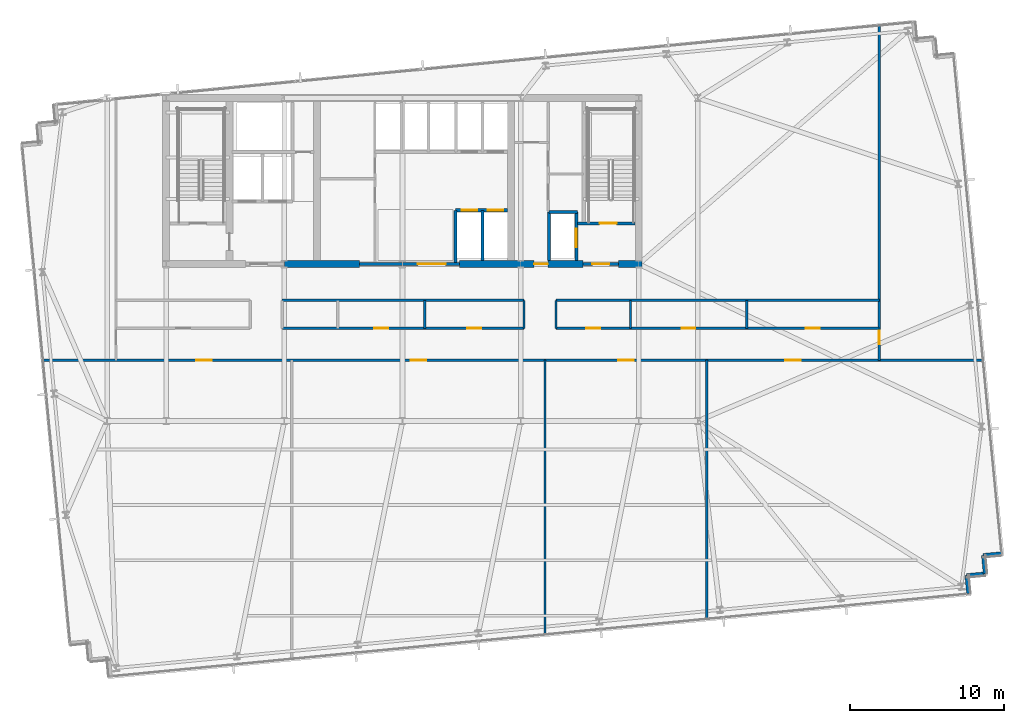
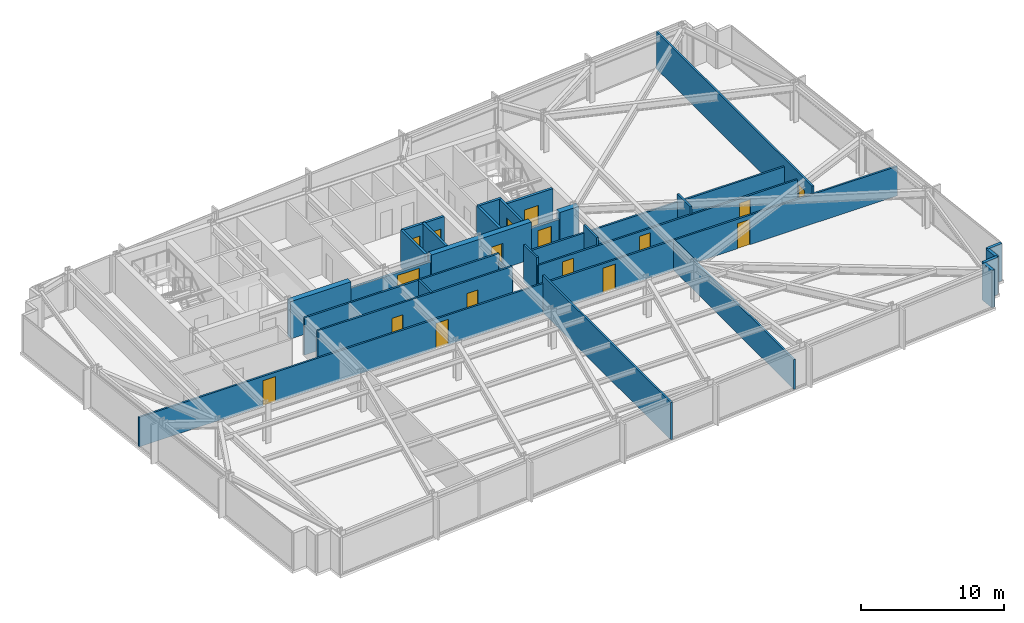
# One storey, part 25 of 32: 29 walls, 17 doors, 17 openings.
"""IFC4 building model written with IfcOpenShell, lengths in metres."""

from ifc_helpers import new_model, si_unit, direction, frame, frame_2d, origin, place, context, subcontext, project, spatial, rectangle, extrude, material, layer, layer_set, type_object, element, fill, save


model = new_model("IFC4")

# Units and contexts
model_context = context("Model", 3, precision=1e-05, world=origin(), true_north=direction((0.0, 1.0)))
body_context = subcontext(model_context, "Body", "Model", "MODEL_VIEW")
ifc_project = project(units=[si_unit("LENGTHUNIT", "METRE"), si_unit("AREAUNIT", "SQUARE_METRE"), si_unit("VOLUMEUNIT", "CUBIC_METRE"), si_unit("PLANEANGLEUNIT", "RADIAN"), si_unit("MASSUNIT", "GRAM", prefix="KILO")], contexts=[model_context])

# Site, building, storey
site_placement = place(None, origin())
site = spatial("IfcSite", under=ifc_project, at=site_placement, CompositionType="ELEMENT")
building_placement = place(site_placement, origin())
building = spatial("IfcBuilding", under=site, at=building_placement, Name="Yelkora Congress Tower", CompositionType="ELEMENT")
storey_placement = place(building_placement, frame((0.0, 0.0, 113.5)))
storey = spatial("IfcBuildingStorey", under=building, at=storey_placement, Name="L30", CompositionType="ELEMENT", Elevation=113.5)

# Wall
ifc_material_1 = material(Name="Concrete C60/75", Category="concrete")
ifc_layer_1 = layer(ifc_material_1, 0.449951171875)
ifc_layer_set_1 = layer_set([ifc_layer_1], Name="Concrete C60/75")
wall_type_1 = type_object("IfcWallType", Name="WALL-CORE-INT-450", PredefinedType="SHEAR", material=ifc_layer_set_1)
wall_1_placement = place(storey_placement, frame((30.719970703125, 35.39990234375, 0.0), z_axis=(0.0, 0.0, 1.0), x_axis=(1.0, 0.0, 0.0)))
element("IfcWall", 1, at=wall_1_placement, inside=storey, type_object=wall_type_1, Name="L30 Rear Core South-Center Shear Pier", PredefinedType="SHEAR", context=body_context, shape_type="SweptSolid", body=[
    extrude(rectangle(XDim=4.880126953125, YDim=0.449951171875, at=frame_2d((2.43994140625, 0.0))), origin(), (0.0, 0.0, 1.0), 3.179931640625),
])

# Wall, opening, door
wall_2_placement = place(storey_placement, frame((42.10009765625, 35.39990234375, 0.0), z_axis=(0.0, 0.0, 1.0), x_axis=(1.0, 0.0, 0.0)))
wall_2 = element("IfcWall", 2, at=wall_2_placement, inside=storey, type_object=wall_type_1, Name="L30 Rear Core South-East Shear Wall A", PredefinedType="SHEAR", context=body_context, shape_type="SweptSolid", body=[
    extrude(rectangle(XDim=8.0498046875, YDim=0.449951171875, at=frame_2d((4.02490234375, 0.0))), origin(), (0.0, 0.0, 1.0), 3.179931640625),
])
opening_1_placement = place(wall_2_placement, frame((4.85009765625, 0.0, 0.0)))
opening_1 = element("IfcOpeningElement", 3, at=opening_1_placement, cuts=wall_2, Name="Opening DR-090F6", PredefinedType="OPENING", context=body_context, shape_type="SweptSolid", body=[
    extrude(rectangle(XDim=0.89990234375, YDim=2.14990234375, at=frame_2d((0.449951171875, 1.074951171875))), frame((0.0, 0.23486328125, 0.0), z_axis=(0.0, -1.0, 0.0), x_axis=(1.0, 0.0, 0.0)), (0.0, 0.0, 1.0), 0.469970703125),
])
ifc_material_2 = material(Name="Painted steel riser fire door leaf", Category="steel")
door_type_1 = type_object("IfcDoorType", Name="DOOR-FD60-900", OperationType="NOTDEFINED", PredefinedType="DOOR", material=ifc_material_2)
door_1_placement = place(opening_1_placement, origin())
door_1 = element("IfcDoor", 4, at=door_1_placement, inside=storey, type_object=door_type_1, Name="L30 Core Washroom Lobby Door", OperationType="SINGLE_SWING_RIGHT", OverallHeight=2.14990234375, OverallWidth=0.89990234375, PredefinedType="DOOR", context=body_context, shape_type="SweptSolid", body=[
    extrude(rectangle(XDim=0.89990234375, YDim=2.14990234375, at=frame_2d((0.449951171875, 1.074951171875))), frame((0.0, 0.02490234375, 0.0), z_axis=(0.0, -1.0, 0.0), x_axis=(1.0, 0.0, 0.0)), (0.0, 0.0, 1.0), 0.050048828125),
])
fill(opening_1, door_1)

# Walls
wall_3_placement = place(storey_placement, frame((52.449951171875, 35.39990234375, 0.0), z_axis=(0.0, 0.0, 1.0), x_axis=(1.0, 0.0, 0.0)))
element("IfcWall", 5, at=wall_3_placement, inside=storey, type_object=wall_type_1, Name="L30 Rear Core South-East Shear Wall B", PredefinedType="SHEAR", context=body_context, shape_type="SweptSolid", body=[
    extrude(rectangle(XDim=1.53515625, YDim=0.449951171875, at=frame_2d((0.767578125, 0.0))), origin(), (0.0, 0.0, 1.0), 3.179931640625),
])
ifc_material_3 = material(Name="Concrete C40/50", Category="concrete")
ifc_layer_2 = layer(ifc_material_3, 0.239990234375)
ifc_layer_set_2 = layer_set([ifc_layer_2], Name="Concrete C40/50")
wall_type_2 = type_object("IfcWallType", Name="WALL-EXT-LIMESTONE-240", PredefinedType="SOLIDWALL", material=ifc_layer_set_2)
wall_4_placement = place(storey_placement, frame((77.34765625, 16.585693359375, 0.0), z_axis=(0.0, 0.0, 1.0), x_axis=(-0.995397091755, -0.095836473879, 0.0)))
element("IfcWall", 6, at=wall_4_placement, inside=storey, type_object=wall_type_2, Name="L30 Serrated Corner Limestone Pier 16", PredefinedType="SOLIDWALL", context=body_context, shape_type="SweptSolid", body=[
    extrude(rectangle(XDim=1.199951171875, YDim=0.239990234375, at=frame_2d((0.60009765625, 0.0))), origin(), (0.0, 0.0, 1.0), 3.179931640625),
])
for number, where, z_axis, x_axis, name in (
    (7, (76.1533203125, 16.470703125, 0.0), (0.0, 0.0, 1.0), (0.095817067274, -0.995398960025, 0.0), "L30 Serrated Corner Limestone Pier 17"),
    (8, (76.268310546875, 15.276123046875, 0.0), (0.0, 0.0, 1.0), (-0.995398960025, -0.095817067274, 0.0), "L30 Serrated Corner Limestone Pier 18"),
):
    element("IfcWall", number, at=place(storey_placement, frame(where, z_axis=z_axis, x_axis=x_axis)), inside=storey, type_object=wall_type_2, Name=name, PredefinedType="SOLIDWALL", context=body_context, shape_type="SweptSolid", body=[
        extrude(rectangle(XDim=1.2001953125, YDim=0.239990234375, at=frame_2d((0.60009765625, 0.0))), origin(), (0.0, 0.0, 1.0), 3.179931640625),
    ])
wall_5_placement = place(storey_placement, frame((75.07373046875, 15.1611328125, 0.0), z_axis=(0.0, 0.0, 1.0), x_axis=(0.095836473879, -0.995397091755, 0.0)))
element("IfcWall", 9, at=wall_5_placement, inside=storey, type_object=wall_type_2, Name="L30 Serrated Corner Limestone Pier 19", PredefinedType="SOLIDWALL", context=body_context, shape_type="SweptSolid", body=[
    extrude(rectangle(XDim=1.199951171875, YDim=0.239990234375, at=frame_2d((0.60009765625, 0.0))), origin(), (0.0, 0.0, 1.0), 3.179931640625),
])
ifc_material_4 = material(Name="Acoustic metal-stud gypsum partition", Category="gypsum")
ifc_layer_3 = layer(ifc_material_4, 0.14990234375)
ifc_layer_set_3 = layer_set([ifc_layer_3], Name="Acoustic metal-stud gypsum partition")
wall_type_3 = type_object("IfcWallType", Name="WALL-INT-150-NR", PredefinedType="PARTITIONING", material=ifc_layer_set_3)
wall_6_placement = place(storey_placement, frame((47.659912109375, 11.255615234375, 0.0), z_axis=(0.0, 0.0, 1.0), x_axis=(0.0, 1.0, 0.0)))
element("IfcWall", 10, at=wall_6_placement, inside=storey, type_object=wall_type_3, Name="L30 Partition Wall 28", PredefinedType="PARTITIONING", context=body_context, shape_type="SweptSolid", body=[
    extrude(rectangle(XDim=17.914306640625, YDim=0.14990234375, at=frame_2d((8.95703125, 0.0))), origin(), (0.0, 0.0, 1.0), 3.179931640625),
])
wall_7_placement = place(storey_placement, frame((58.176025390625, 12.268310546875, 0.0), z_axis=(0.0, 0.0, 1.0), x_axis=(0.0, 1.0, 0.0)))
element("IfcWall", 11, at=wall_7_placement, inside=storey, type_object=wall_type_3, Name="L30 Partition Wall 29", PredefinedType="PARTITIONING", context=body_context, shape_type="SweptSolid", body=[
    extrude(rectangle(XDim=16.901611328125, YDim=0.14990234375, at=frame_2d((8.45068359375, 0.0))), origin(), (0.0, 0.0, 1.0), 2.52490234375),
])

# Wall, openings, doors
wall_8_placement = place(storey_placement, frame((14.976318359375, 29.14990234375, 0.0), z_axis=(0.0, 0.0, 1.0), x_axis=(1.0, 0.0, 0.0)))
wall_8 = element("IfcWall", 12, at=wall_8_placement, inside=storey, type_object=wall_type_3, Name="L30 South Spine Wall", PredefinedType="PARTITIONING", context=body_context, shape_type="SweptSolid", body=[
    extrude(rectangle(XDim=61.221923828125, YDim=0.14990234375, at=frame_2d((30.61083984375, 0.0))), origin(), (0.0, 0.0, 1.0), 2.52490234375),
])
opening_2_placement = place(wall_8_placement, frame((10.01171875, 0.0, 0.0)))
opening_2 = element("IfcOpeningElement", 13, at=opening_2_placement, cuts=wall_8, Name="Opening DR-100N", PredefinedType="OPENING", context=body_context, shape_type="SweptSolid", body=[
    extrude(rectangle(XDim=1.0, YDim=2.14990234375, at=frame_2d((0.5, 1.074951171875))), frame((0.0, 0.0849609375, 0.0), z_axis=(0.0, -1.0, 0.0), x_axis=(1.0, 0.0, 0.0)), (0.0, 0.0, 1.0), 0.169921875),
])
opening_3_placement = place(wall_8_placement, frame((23.95361328125, 0.0, 0.0)))
opening_3 = element("IfcOpeningElement", 14, at=opening_3_placement, cuts=wall_8, Name="Opening DR-100N", PredefinedType="OPENING", context=body_context, shape_type="SweptSolid", body=[
    extrude(rectangle(XDim=1.0, YDim=2.14990234375, at=frame_2d((0.5, 1.074951171875))), frame((0.0, 0.0849609375, 0.0), z_axis=(0.0, -1.0, 0.0), x_axis=(1.0, 0.0, 0.0)), (0.0, 0.0, 1.0), 0.169921875),
])
opening_4_placement = place(wall_8_placement, frame((37.441650390625, 0.0, 0.0)))
opening_4 = element("IfcOpeningElement", 15, at=opening_4_placement, cuts=wall_8, Name="Opening DR-100N", PredefinedType="OPENING", context=body_context, shape_type="SweptSolid", body=[
    extrude(rectangle(XDim=1.0, YDim=2.14990234375, at=frame_2d((0.5, 1.074951171875))), frame((0.0, 0.0849609375, 0.0), z_axis=(0.0, -1.0, 0.0), x_axis=(1.0, 0.0, 0.0)), (0.0, 0.0, 1.0), 0.169921875),
])
opening_5_placement = place(wall_8_placement, frame((48.310546875, 0.0, 0.0)))
opening_5 = element("IfcOpeningElement", 16, at=opening_5_placement, cuts=wall_8, Name="Opening DR-100N", PredefinedType="OPENING", context=body_context, shape_type="SweptSolid", body=[
    extrude(rectangle(XDim=1.0, YDim=2.14990234375, at=frame_2d((0.5, 1.074951171875))), frame((0.0, 0.0849609375, 0.0), z_axis=(0.0, -1.0, 0.0), x_axis=(1.0, 0.0, 0.0)), (0.0, 0.0, 1.0), 0.169921875),
])
ifc_material_5 = material(Name="Solid-core Anatolian oak veneer door", Category="wood")
door_type_2 = type_object("IfcDoorType", Name="DOOR-INT-1000", OperationType="NOTDEFINED", PredefinedType="DOOR", material=ifc_material_5)
door_2_placement = place(opening_2_placement, origin())
door_2 = element("IfcDoor", 17, at=door_2_placement, inside=storey, type_object=door_type_2, Name="L30 Open-Plan Office Door", OperationType="SINGLE_SWING_LEFT", OverallHeight=2.14990234375, OverallWidth=1.0, PredefinedType="DOOR", context=body_context, shape_type="SweptSolid", body=[
    extrude(rectangle(XDim=1.0, YDim=2.14990234375, at=frame_2d((0.5, 1.074951171875))), frame((0.0, 0.02490234375, 0.0), z_axis=(0.0, -1.0, 0.0), x_axis=(1.0, 0.0, 0.0)), (0.0, 0.0, 1.0), 0.050048828125),
])
fill(opening_2, door_2)
door_3_placement = place(opening_3_placement, origin())
door_3 = element("IfcDoor", 18, at=door_3_placement, inside=storey, type_object=door_type_2, Name="L30 Collaboration Living Hub Door", OperationType="SINGLE_SWING_RIGHT", OverallHeight=2.14990234375, OverallWidth=1.0, PredefinedType="DOOR", context=body_context, shape_type="SweptSolid", body=[
    extrude(rectangle(XDim=1.0, YDim=2.14990234375, at=frame_2d((0.5, 1.074951171875))), frame((0.0, 0.02490234375, 0.0), z_axis=(0.0, -1.0, 0.0), x_axis=(1.0, 0.0, 0.0)), (0.0, 0.0, 1.0), 0.050048828125),
])
fill(opening_3, door_3)
door_4_placement = place(opening_4_placement, origin())
door_4 = element("IfcDoor", 19, at=door_4_placement, inside=storey, type_object=door_type_2, Name="L30 Catering Kitchenette Door", OperationType="SINGLE_SWING_LEFT", OverallHeight=2.14990234375, OverallWidth=1.0, PredefinedType="DOOR", context=body_context, shape_type="SweptSolid", body=[
    extrude(rectangle(XDim=1.0, YDim=2.14990234375, at=frame_2d((0.5, 1.074951171875))), frame((0.0, 0.02490234375, 0.0), z_axis=(0.0, -1.0, 0.0), x_axis=(1.0, 0.0, 0.0)), (0.0, 0.0, 1.0), 0.050048828125),
])
fill(opening_4, door_4)
door_5_placement = place(opening_5_placement, origin())
door_5 = element("IfcDoor", 20, at=door_5_placement, inside=storey, type_object=door_type_2, Name="L30 Catering Kitchenette Door", OperationType="SINGLE_SWING_RIGHT", OverallHeight=2.14990234375, OverallWidth=1.0, PredefinedType="DOOR", context=body_context, shape_type="SweptSolid", body=[
    extrude(rectangle(XDim=1.0, YDim=2.14990234375, at=frame_2d((0.5, 1.074951171875))), frame((0.0, 0.02490234375, 0.0), z_axis=(0.0, -1.0, 0.0), x_axis=(1.0, 0.0, 0.0)), (0.0, 0.0, 1.0), 0.050048828125),
])
fill(opening_5, door_5)

# Wall, opening, door
wall_9_placement = place(storey_placement, frame((69.39794921875, 29.14990234375, 0.0), z_axis=(0.0, 0.0, 1.0), x_axis=(0.0, 1.0, 0.0)))
wall_9 = element("IfcWall", 21, at=wall_9_placement, inside=storey, type_object=wall_type_3, Name="L30 Partition Wall 32", PredefinedType="PARTITIONING", context=body_context, shape_type="SweptSolid", body=[
    extrude(rectangle(XDim=21.81201171875, YDim=0.14990234375, at=frame_2d((10.906005859375, 0.0))), origin(), (0.0, 0.0, 1.0), 3.179931640625),
])
opening_6_placement = place(wall_9_placement, frame((1.030029296875, 0.0, 0.0)))
opening_6 = element("IfcOpeningElement", 22, at=opening_6_placement, cuts=wall_9, Name="Opening DR-090N", PredefinedType="OPENING", context=body_context, shape_type="SweptSolid", body=[
    extrude(rectangle(XDim=0.89990234375, YDim=2.14990234375, at=frame_2d((0.449951171875, 1.074951171875))), frame((0.0, 0.0849609375, 0.0), z_axis=(0.0, -1.0, 0.0), x_axis=(1.0, 0.0, 0.0)), (0.0, 0.0, 1.0), 0.169921875),
])
ifc_material_6 = material(Name="Moisture-resistant laminate door leaf", Category="wood")
door_type_3 = type_object("IfcDoorType", Name="DOOR-INT-900", OperationType="NOTDEFINED", PredefinedType="DOOR", material=ifc_material_6)
door_6_placement = place(opening_6_placement, origin())
door_6 = element("IfcDoor", 23, at=door_6_placement, inside=storey, type_object=door_type_3, Name="L30 E Wing Door", OperationType="SINGLE_SWING_RIGHT", OverallHeight=2.14990234375, OverallWidth=0.89990234375, PredefinedType="DOOR", context=body_context, shape_type="SweptSolid", body=[
    extrude(rectangle(XDim=0.89990234375, YDim=2.14990234375, at=frame_2d((0.449951171875, 1.074951171875))), frame((0.0, 0.02490234375, 0.0), z_axis=(0.0, -1.0, 0.0), x_axis=(1.0, 0.0, 0.0)), (0.0, 0.0, 1.0), 0.050048828125),
])
fill(opening_6, door_6)

# Walls
wall_10_placement = place(storey_placement, frame((46.300048828125, 31.22998046875, 0.0), z_axis=(0.0, 0.0, 1.0), x_axis=(0.0, 1.0, 0.0)))
element("IfcWall", 24, at=wall_10_placement, inside=storey, type_object=wall_type_3, Name="L30 Partition Wall 35", PredefinedType="PARTITIONING", context=body_context, shape_type="SweptSolid", body=[
    extrude(rectangle(XDim=1.820068359375, YDim=0.14990234375, at=frame_2d((0.91015625, 0.0))), origin(), (0.0, 0.0, 1.0), 2.52490234375),
])
wall_11_placement = place(storey_placement, frame((48.3798828125, 31.22998046875, 0.0), z_axis=(0.0, 0.0, 1.0), x_axis=(0.0, 1.0, 0.0)))
element("IfcWall", 25, at=wall_11_placement, inside=storey, type_object=wall_type_3, Name="L30 Partition Wall 36", PredefinedType="PARTITIONING", context=body_context, shape_type="SweptSolid", body=[
    extrude(rectangle(XDim=1.820068359375, YDim=0.14990234375, at=frame_2d((0.91015625, 0.0))), origin(), (0.0, 0.0, 1.0), 3.179931640625),
])
wall_12_placement = place(storey_placement, frame((30.580078125, 33.050048828125, 0.0), z_axis=(0.0, 0.0, 1.0), x_axis=(1.0, 0.0, 0.0)))
element("IfcWall", 26, at=wall_12_placement, inside=storey, type_object=wall_type_3, Name="L30 Partition Wall 38", PredefinedType="PARTITIONING", context=body_context, shape_type="SweptSolid", body=[
    extrude(rectangle(XDim=15.719970703125, YDim=0.14990234375, at=frame_2d((7.85986328125, 0.0))), origin(), (0.0, 0.0, 1.0), 3.179931640625),
])
wall_13_placement = place(storey_placement, frame((48.3798828125, 33.050048828125, 0.0), z_axis=(0.0, 0.0, 1.0), x_axis=(1.0, 0.0, 0.0)))
element("IfcWall", 27, at=wall_13_placement, inside=storey, type_object=wall_type_3, Name="L30 Partition Wall 39", PredefinedType="PARTITIONING", context=body_context, shape_type="SweptSolid", body=[
    extrude(rectangle(XDim=21.01806640625, YDim=0.14990234375, at=frame_2d((10.509033203125, 0.0))), origin(), (0.0, 0.0, 1.0), 2.52490234375),
])
wall_14_placement = place(storey_placement, frame((39.85302734375, 31.22998046875, 0.0), z_axis=(0.0, 0.0, 1.0), x_axis=(0.0, 1.0, 0.0)))
element("IfcWall", 28, at=wall_14_placement, inside=storey, type_object=wall_type_3, Name="L30 Partition Wall 42", PredefinedType="PARTITIONING", context=body_context, shape_type="SweptSolid", body=[
    extrude(rectangle(XDim=1.820068359375, YDim=0.14990234375, at=frame_2d((0.91015625, 0.0))), origin(), (0.0, 0.0, 1.0), 3.179931640625),
])

# Wall, openings, doors
wall_15_placement = place(storey_placement, frame((30.590087890625, 31.22998046875, 0.0), z_axis=(0.0, 0.0, 1.0), x_axis=(1.0, 0.0, 0.0)))
wall_15 = element("IfcWall", 29, at=wall_15_placement, inside=storey, type_object=wall_type_3, Name="L30 Partition Wall 43", PredefinedType="PARTITIONING", context=body_context, shape_type="SweptSolid", body=[
    extrude(rectangle(XDim=15.699951171875, YDim=0.14990234375, at=frame_2d((7.85009765625, 0.0))), origin(), (0.0, 0.0, 1.0), 3.179931640625),
])
opening_7_placement = place(wall_15_placement, frame((5.987060546875, 0.0, 0.0)))
opening_7 = element("IfcOpeningElement", 30, at=opening_7_placement, cuts=wall_15, Name="Opening DR-090N", PredefinedType="OPENING", context=body_context, shape_type="SweptSolid", body=[
    extrude(rectangle(XDim=0.89990234375, YDim=2.14990234375, at=frame_2d((0.449951171875, 1.074951171875))), frame((0.0, 0.0849609375, 0.0), z_axis=(0.0, -1.0, 0.0), x_axis=(1.0, 0.0, 0.0)), (0.0, 0.0, 1.0), 0.169921875),
])
opening_8_placement = place(wall_15_placement, frame((12.031494140625, 0.0, 0.0)))
opening_8 = element("IfcOpeningElement", 31, at=opening_8_placement, cuts=wall_15, Name="Opening DR-090N", PredefinedType="OPENING", context=body_context, shape_type="SweptSolid", body=[
    extrude(rectangle(XDim=0.89990234375, YDim=2.14990234375, at=frame_2d((0.449951171875, 1.074951171875))), frame((0.0, 0.0849609375, 0.0), z_axis=(0.0, -1.0, 0.0), x_axis=(1.0, 0.0, 0.0)), (0.0, 0.0, 1.0), 0.169921875),
])
door_7_placement = place(opening_7_placement, origin())
door_7 = element("IfcDoor", 32, at=door_7_placement, inside=storey, type_object=door_type_3, Name="L30 Staff Operations Room Door", OperationType="SINGLE_SWING_RIGHT", OverallHeight=2.14990234375, OverallWidth=0.89990234375, PredefinedType="DOOR", context=body_context, shape_type="SweptSolid", body=[
    extrude(rectangle(XDim=0.89990234375, YDim=2.14990234375, at=frame_2d((0.449951171875, 1.074951171875))), frame((0.0, 0.02490234375, 0.0), z_axis=(0.0, -1.0, 0.0), x_axis=(1.0, 0.0, 0.0)), (0.0, 0.0, 1.0), 0.050048828125),
])
fill(opening_7, door_7)
door_8_placement = place(opening_8_placement, origin())
door_8 = element("IfcDoor", 33, at=door_8_placement, inside=storey, type_object=door_type_3, Name="L30 Security Control Room Door", OperationType="SINGLE_SWING_LEFT", OverallHeight=2.14990234375, OverallWidth=0.89990234375, PredefinedType="DOOR", context=body_context, shape_type="SweptSolid", body=[
    extrude(rectangle(XDim=0.89990234375, YDim=2.14990234375, at=frame_2d((0.449951171875, 1.074951171875))), frame((0.0, 0.02490234375, 0.0), z_axis=(0.0, -1.0, 0.0), x_axis=(1.0, 0.0, 0.0)), (0.0, 0.0, 1.0), 0.050048828125),
])
fill(opening_8, door_8)

# Walls
for number, where, z_axis, x_axis, name in (
    (34, (53.217041015625, 31.22998046875, 0.0), (0.0, 0.0, 1.0), (0.0, 1.0, 0.0), "L30 Partition Wall 44"),
    (35, (60.77294921875, 31.22998046875, 0.0), (0.0, 0.0, 1.0), (0.0, 1.0, 0.0), "L30 Partition Wall 45"),
):
    element("IfcWall", number, at=place(storey_placement, frame(where, z_axis=z_axis, x_axis=x_axis)), inside=storey, type_object=wall_type_3, Name=name, PredefinedType="PARTITIONING", context=body_context, shape_type="SweptSolid", body=[
        extrude(rectangle(XDim=1.820068359375, YDim=0.14990234375, at=frame_2d((0.91015625, 0.0))), origin(), (0.0, 0.0, 1.0), 3.179931640625),
    ])

# Wall, openings, doors
wall_16_placement = place(storey_placement, frame((48.389892578125, 31.22998046875, 0.0), z_axis=(0.0, 0.0, 1.0), x_axis=(1.0, 0.0, 0.0)))
wall_16 = element("IfcWall", 36, at=wall_16_placement, inside=storey, type_object=wall_type_3, Name="L30 Partition Wall 46", PredefinedType="PARTITIONING", context=body_context, shape_type="SweptSolid", body=[
    extrude(rectangle(XDim=20.988037109375, YDim=0.14990234375, at=frame_2d((10.494140625, 0.0))), origin(), (0.0, 0.0, 1.0), 2.52490234375),
])
opening_9_placement = place(wall_16_placement, frame((1.96337890625, 0.0, 0.0)))
opening_9 = element("IfcOpeningElement", 37, at=opening_9_placement, cuts=wall_16, Name="Opening DR-090N", PredefinedType="OPENING", context=body_context, shape_type="SweptSolid", body=[
    extrude(rectangle(XDim=0.89990234375, YDim=2.14990234375, at=frame_2d((0.449951171875, 1.074951171875))), frame((0.0, 0.0849609375, 0.0), z_axis=(0.0, -1.0, 0.0), x_axis=(1.0, 0.0, 0.0)), (0.0, 0.0, 1.0), 0.169921875),
])
opening_10_placement = place(wall_16_placement, frame((8.155029296875, 0.0, 0.0)))
opening_10 = element("IfcOpeningElement", 38, at=opening_10_placement, cuts=wall_16, Name="Opening DR-090N", PredefinedType="OPENING", context=body_context, shape_type="SweptSolid", body=[
    extrude(rectangle(XDim=0.89990234375, YDim=2.14990234375, at=frame_2d((0.449951171875, 1.074951171875))), frame((0.0, 0.0849609375, 0.0), z_axis=(0.0, -1.0, 0.0), x_axis=(1.0, 0.0, 0.0)), (0.0, 0.0, 1.0), 0.169921875),
])
opening_11_placement = place(wall_16_placement, frame((16.235595703125, 0.0, 0.0)))
opening_11 = element("IfcOpeningElement", 39, at=opening_11_placement, cuts=wall_16, Name="Opening DR-090N", PredefinedType="OPENING", context=body_context, shape_type="SweptSolid", body=[
    extrude(rectangle(XDim=0.89990234375, YDim=2.14990234375, at=frame_2d((0.449951171875, 1.074951171875))), frame((0.0, 0.0849609375, 0.0), z_axis=(0.0, -1.0, 0.0), x_axis=(1.0, 0.0, 0.0)), (0.0, 0.0, 1.0), 0.169921875),
])
door_9_placement = place(opening_9_placement, origin())
door_9 = element("IfcDoor", 40, at=door_9_placement, inside=storey, type_object=door_type_3, Name="L30 Staff Operations Room Door", OperationType="SINGLE_SWING_RIGHT", OverallHeight=2.14990234375, OverallWidth=0.89990234375, PredefinedType="DOOR", context=body_context, shape_type="SweptSolid", body=[
    extrude(rectangle(XDim=0.89990234375, YDim=2.14990234375, at=frame_2d((0.449951171875, 1.074951171875))), frame((0.0, 0.02490234375, 0.0), z_axis=(0.0, -1.0, 0.0), x_axis=(1.0, 0.0, 0.0)), (0.0, 0.0, 1.0), 0.050048828125),
])
fill(opening_9, door_9)
door_10_placement = place(opening_10_placement, origin())
door_10 = element("IfcDoor", 41, at=door_10_placement, inside=storey, type_object=door_type_3, Name="L30 Security Control Room Door", OperationType="SINGLE_SWING_LEFT", OverallHeight=2.14990234375, OverallWidth=0.89990234375, PredefinedType="DOOR", context=body_context, shape_type="SweptSolid", body=[
    extrude(rectangle(XDim=0.89990234375, YDim=2.14990234375, at=frame_2d((0.449951171875, 1.074951171875))), frame((0.0, 0.02490234375, 0.0), z_axis=(0.0, -1.0, 0.0), x_axis=(1.0, 0.0, 0.0)), (0.0, 0.0, 1.0), 0.050048828125),
])
fill(opening_10, door_10)
door_11_placement = place(opening_11_placement, origin())
door_11 = element("IfcDoor", 42, at=door_11_placement, inside=storey, type_object=door_type_3, Name="L30 Hospitality Pantry Door", OperationType="SINGLE_SWING_RIGHT", OverallHeight=2.14990234375, OverallWidth=0.89990234375, PredefinedType="DOOR", context=body_context, shape_type="SweptSolid", body=[
    extrude(rectangle(XDim=0.89990234375, YDim=2.14990234375, at=frame_2d((0.449951171875, 1.074951171875))), frame((0.0, 0.02490234375, 0.0), z_axis=(0.0, -1.0, 0.0), x_axis=(1.0, 0.0, 0.0)), (0.0, 0.0, 1.0), 0.050048828125),
])
fill(opening_11, door_11)

# Wall, opening, door
ifc_material_7 = material(Name="Autoclaved aerated concrete blockwork", Category="masonry")
ifc_layer_4 = layer(ifc_material_7, 0.199951171875)
ifc_layer_set_4 = layer_set([ifc_layer_4], Name="Autoclaved aerated concrete blockwork")
wall_type_4 = type_object("IfcWallType", Name="WALL-INT-200-R120", PredefinedType="PARTITIONING", material=ifc_layer_set_4)
wall_17_placement = place(storey_placement, frame((35.60009765625, 35.39990234375, 0.0), z_axis=(0.0, 0.0, 1.0), x_axis=(1.0, 0.0, 0.0)))
wall_17 = element("IfcWall", 43, at=wall_17_placement, inside=storey, type_object=wall_type_4, Name="L30 Main Lift Lobby South Portal Wall", PredefinedType="PARTITIONING", context=body_context, shape_type="SweptSolid", body=[
    extrude(rectangle(XDim=6.5, YDim=0.199951171875, at=frame_2d((3.25, 0.0))), origin(), (0.0, 0.0, 1.0), 2.52490234375),
])
opening_12_placement = place(wall_17_placement, frame((3.800048828125, 0.0, 0.0)))
opening_12 = element("IfcOpeningElement", 44, at=opening_12_placement, cuts=wall_17, Name="Opening DR-180D", PredefinedType="OPENING", context=body_context, shape_type="SweptSolid", body=[
    extrude(rectangle(XDim=1.800048828125, YDim=2.300048828125, at=frame_2d((0.89990234375, 1.14990234375))), frame((0.0, 0.10986328125, 0.0), z_axis=(0.0, -1.0, 0.0), x_axis=(1.0, 0.0, 0.0)), (0.0, 0.0, 1.0), 0.219970703125),
])
ifc_material_8 = material(Name="Acoustic double congress hall doors", Category="wood")
door_type_4 = type_object("IfcDoorType", Name="DOOR-DBL-1800", OperationType="DOUBLE_DOOR_SINGLE_SWING", PredefinedType="DOOR", material=ifc_material_8)
door_12_placement = place(opening_12_placement, origin())
door_12 = element("IfcDoor", 45, at=door_12_placement, inside=storey, type_object=door_type_4, Name="L30 Main Lift Lobby Portal Door", OperationType="DOUBLE_DOOR_SINGLE_SWING", OverallHeight=2.300048828125, OverallWidth=1.800048828125, PredefinedType="DOOR", context=body_context, shape_type="SweptSolid", body=[
    extrude(rectangle(XDim=1.800048828125, YDim=2.300048828125, at=frame_2d((0.89990234375, 1.14990234375))), frame((0.0, 0.02490234375, 0.0), z_axis=(0.0, -1.0, 0.0), x_axis=(1.0, 0.0, 0.0)), (0.0, 0.0, 1.0), 0.050048828125),
])
fill(opening_12, door_12)

# Wall, openings, doors
wall_18_placement = place(storey_placement, frame((41.85009765625, 38.89990234375, 0.0), z_axis=(0.0, 0.0, 1.0), x_axis=(1.0, 0.0, 0.0)))
wall_18 = element("IfcWall", 46, at=wall_18_placement, inside=storey, type_object=wall_type_4, Name="L30 Partition Wall 13", PredefinedType="PARTITIONING", context=body_context, shape_type="SweptSolid", body=[
    extrude(rectangle(XDim=3.369873046875, YDim=0.199951171875, at=frame_2d((1.68505859375, 0.0))), origin(), (0.0, 0.0, 1.0), 3.179931640625),
])
opening_13_placement = place(wall_18_placement, frame((0.39990234375, 0.0, 0.0)))
opening_13 = element("IfcOpeningElement", 47, at=opening_13_placement, cuts=wall_18, Name="Opening LD-PS10", PredefinedType="OPENING", context=body_context, shape_type="SweptSolid", body=[
    extrude(rectangle(XDim=1.0, YDim=2.199951171875, at=frame_2d((0.5, 1.10009765625))), frame((0.0, 0.10986328125, 0.0), z_axis=(0.0, -1.0, 0.0), x_axis=(1.0, 0.0, 0.0)), (0.0, 0.0, 1.0), 0.219970703125),
])
opening_14_placement = place(wall_18_placement, frame((2.10009765625, 0.0, 0.0)))
opening_14 = element("IfcOpeningElement", 48, at=opening_14_placement, cuts=wall_18, Name="Opening LD-PS10", PredefinedType="OPENING", context=body_context, shape_type="SweptSolid", body=[
    extrude(rectangle(XDim=1.0, YDim=2.199951171875, at=frame_2d((0.5, 1.10009765625))), frame((0.0, 0.10986328125, 0.0), z_axis=(0.0, -1.0, 0.0), x_axis=(1.0, 0.0, 0.0)), (0.0, 0.0, 1.0), 0.219970703125),
])
ifc_material_9 = material(Name="Champagne stainless steel landing door", Category="steel")
door_type_5 = type_object("IfcDoorType", Name="DOOR-LIFT-PAS-1000", OperationType="DOUBLE_DOOR_SLIDING", PredefinedType="DOOR", material=ifc_material_9)
door_13_placement = place(opening_13_placement, origin())
door_13 = element("IfcDoor", 49, at=door_13_placement, inside=storey, type_object=door_type_5, Name="Lift Landing Door LF-P5 L30", OperationType="DOUBLE_DOOR_SLIDING", OverallHeight=2.199951171875, OverallWidth=1.0, PredefinedType="DOOR", context=body_context, shape_type="SweptSolid", body=[
    extrude(rectangle(XDim=1.0, YDim=2.199951171875, at=frame_2d((0.5, 1.10009765625))), frame((0.0, 0.02490234375, 0.0), z_axis=(0.0, -1.0, 0.0), x_axis=(1.0, 0.0, 0.0)), (0.0, 0.0, 1.0), 0.050048828125),
])
fill(opening_13, door_13)
door_14_placement = place(opening_14_placement, origin())
door_14 = element("IfcDoor", 50, at=door_14_placement, inside=storey, type_object=door_type_5, Name="Lift Landing Door LF-P6 L30", OperationType="DOUBLE_DOOR_SLIDING", OverallHeight=2.199951171875, OverallWidth=1.0, PredefinedType="DOOR", context=body_context, shape_type="SweptSolid", body=[
    extrude(rectangle(XDim=1.0, YDim=2.199951171875, at=frame_2d((0.5, 1.10009765625))), frame((0.0, 0.02490234375, 0.0), z_axis=(0.0, -1.0, 0.0), x_axis=(1.0, 0.0, 0.0)), (0.0, 0.0, 1.0), 0.050048828125),
])
fill(opening_14, door_14)

# Walls
wall_19_placement = place(storey_placement, frame((43.60009765625, 35.64990234375, 0.0), z_axis=(0.0, 0.0, 1.0), x_axis=(0.0, 1.0, 0.0)))
element("IfcWall", 51, at=wall_19_placement, inside=storey, type_object=wall_type_4, Name="L30 Partition Wall 15", PredefinedType="PARTITIONING", context=body_context, shape_type="SweptSolid", body=[
    extrude(rectangle(XDim=3.25, YDim=0.199951171875, at=frame_2d((1.625, 0.0))), origin(), (0.0, 0.0, 1.0), 3.179931640625),
])
wall_20_placement = place(storey_placement, frame((41.85009765625, 35.5, 0.0), z_axis=(0.0, 0.0, 1.0), x_axis=(0.0, 1.0, 0.0)))
element("IfcWall", 52, at=wall_20_placement, inside=storey, type_object=wall_type_4, Name="L30 Partition Wall 17", PredefinedType="PARTITIONING", context=body_context, shape_type="SweptSolid", body=[
    extrude(rectangle(XDim=3.39990234375, YDim=0.199951171875, at=frame_2d((1.699951171875, 0.0))), origin(), (0.0, 0.0, 1.0), 3.179931640625),
])

# Wall, opening, door
wall_21_placement = place(storey_placement, frame((49.780029296875, 38.050048828125, 0.0), z_axis=(0.0, 0.0, 1.0), x_axis=(1.0, 0.0, 0.0)))
wall_21 = element("IfcWall", 53, at=wall_21_placement, inside=storey, type_object=wall_type_4, Name="L30 Stair ST-02 Enclosure Wall", PredefinedType="PARTITIONING", context=body_context, shape_type="SweptSolid", body=[
    extrude(rectangle(XDim=3.719970703125, YDim=0.199951171875, at=frame_2d((1.85986328125, 0.0))), origin(), (0.0, 0.0, 1.0), 3.179931640625),
])
opening_15_placement = place(wall_21_placement, frame((1.436279296875, 0.0, 0.0)))
opening_15 = element("IfcOpeningElement", 54, at=opening_15_placement, cuts=wall_21, Name="Opening DR-110F9", PredefinedType="OPENING", context=body_context, shape_type="SweptSolid", body=[
    extrude(rectangle(XDim=1.10009765625, YDim=2.14990234375, at=frame_2d((0.550048828125, 1.074951171875))), frame((0.0, 0.10986328125, 0.0), z_axis=(0.0, -1.0, 0.0), x_axis=(1.0, 0.0, 0.0)), (0.0, 0.0, 1.0), 0.219970703125),
])
ifc_material_10 = material(Name="Galvanised steel fire door leaf", Category="steel")
door_type_6 = type_object("IfcDoorType", Name="DOOR-FD90-1100", OperationType="NOTDEFINED", PredefinedType="DOOR", material=ifc_material_10)
door_15_placement = place(opening_15_placement, origin())
door_15 = element("IfcDoor", 55, at=door_15_placement, inside=storey, type_object=door_type_6, Name="L30 Stair ST-02 Entry Door", OperationType="SINGLE_SWING_LEFT", OverallHeight=2.14990234375, OverallWidth=1.10009765625, PredefinedType="DOOR", context=body_context, shape_type="SweptSolid", body=[
    extrude(rectangle(XDim=1.10009765625, YDim=2.14990234375, at=frame_2d((0.550048828125, 1.074951171875))), frame((0.0, 0.02490234375, 0.0), z_axis=(0.0, -1.0, 0.0), x_axis=(1.0, 0.0, 0.0)), (0.0, 0.0, 1.0), 0.050048828125),
])
fill(opening_15, door_15)

wall_22_placement = place(storey_placement, frame((50.14990234375, 35.39990234375, 0.0), z_axis=(0.0, 0.0, 1.0), x_axis=(1.0, 0.0, 0.0)))
wall_22 = element("IfcWall", 56, at=wall_22_placement, inside=storey, type_object=wall_type_4, Name="L30 Partition Wall 20", PredefinedType="PARTITIONING", context=body_context, shape_type="SweptSolid", body=[
    extrude(rectangle(XDim=2.300048828125, YDim=0.199951171875, at=frame_2d((1.14990234375, 0.0))), origin(), (0.0, 0.0, 1.0), 2.52490234375),
])
opening_16_placement = place(wall_22_placement, frame((0.60009765625, 0.0, 0.0)))
opening_16 = element("IfcOpeningElement", 57, at=opening_16_placement, cuts=wall_22, Name="Opening DR-110F9", PredefinedType="OPENING", context=body_context, shape_type="SweptSolid", body=[
    extrude(rectangle(XDim=1.10009765625, YDim=2.14990234375, at=frame_2d((0.550048828125, 1.074951171875))), frame((0.0, 0.10986328125, 0.0), z_axis=(0.0, -1.0, 0.0), x_axis=(1.0, 0.0, 0.0)), (0.0, 0.0, 1.0), 0.219970703125),
])
door_16_placement = place(opening_16_placement, origin())
door_16 = element("IfcDoor", 58, at=door_16_placement, inside=storey, type_object=door_type_6, Name="L30 East Stair Lobby Door", OperationType="SINGLE_SWING_RIGHT", OverallHeight=2.14990234375, OverallWidth=1.10009765625, PredefinedType="DOOR", context=body_context, shape_type="SweptSolid", body=[
    extrude(rectangle(XDim=1.10009765625, YDim=2.14990234375, at=frame_2d((0.550048828125, 1.074951171875))), frame((0.0, 0.02490234375, 0.0), z_axis=(0.0, -1.0, 0.0), x_axis=(1.0, 0.0, 0.0)), (0.0, 0.0, 1.0), 0.050048828125),
])
fill(opening_16, door_16)

wall_23_placement = place(storey_placement, frame((49.699951171875, 35.64990234375, 0.0), z_axis=(0.0, 0.0, 1.0), x_axis=(0.0, 1.0, 0.0)))
wall_23 = element("IfcWall", 59, at=wall_23_placement, inside=storey, type_object=wall_type_4, Name="L30 Partition Wall 21", PredefinedType="PARTITIONING", context=body_context, shape_type="SweptSolid", body=[
    extrude(rectangle(XDim=3.150146484375, YDim=0.199951171875, at=frame_2d((1.5751953125, 0.0))), origin(), (0.0, 0.0, 1.0), 3.179931640625),
])
opening_17_placement = place(wall_23_placement, frame((0.85009765625, 0.0, 0.0)))
opening_17 = element("IfcOpeningElement", 60, at=opening_17_placement, cuts=wall_23, Name="Opening LD-SV12", PredefinedType="OPENING", context=body_context, shape_type="SweptSolid", body=[
    extrude(rectangle(XDim=1.199951171875, YDim=2.199951171875, at=frame_2d((0.60009765625, 1.10009765625))), frame((0.0, 0.10986328125, 0.0), z_axis=(0.0, -1.0, 0.0), x_axis=(1.0, 0.0, 0.0)), (0.0, 0.0, 1.0), 0.219970703125),
])
ifc_material_11 = material(Name="Heavy-duty stainless steel landing door", Category="steel")
door_type_7 = type_object("IfcDoorType", Name="DOOR-LIFT-SRV-1200", OperationType="DOUBLE_DOOR_SLIDING", PredefinedType="DOOR", material=ifc_material_11)
door_17_placement = place(opening_17_placement, origin())
door_17 = element("IfcDoor", 61, at=door_17_placement, inside=storey, type_object=door_type_7, Name="Service Lift Landing Door LF-SV1 L30", OperationType="DOUBLE_DOOR_SLIDING", OverallHeight=2.199951171875, OverallWidth=1.199951171875, PredefinedType="DOOR", context=body_context, shape_type="SweptSolid", body=[
    extrude(rectangle(XDim=1.199951171875, YDim=2.199951171875, at=frame_2d((0.60009765625, 1.10009765625))), frame((0.0, 0.02490234375, 0.0), z_axis=(0.0, -1.0, 0.0), x_axis=(1.0, 0.0, 0.0)), (0.0, 0.0, 1.0), 0.050048828125),
])
fill(opening_17, door_17)

# Walls
wall_24_placement = place(storey_placement, frame((47.919921875, 35.64990234375, 0.0), z_axis=(0.0, 0.0, 1.0), x_axis=(0.0, 1.0, 0.0)))
element("IfcWall", 62, at=wall_24_placement, inside=storey, type_object=wall_type_4, Name="L30 Partition Wall 22", PredefinedType="PARTITIONING", context=body_context, shape_type="SweptSolid", body=[
    extrude(rectangle(XDim=3.150146484375, YDim=0.199951171875, at=frame_2d((1.5751953125, 0.0))), origin(), (0.0, 0.0, 1.0), 3.179931640625),
])
wall_25_placement = place(storey_placement, frame((47.919921875, 38.800048828125, 0.0), z_axis=(0.0, 0.0, 1.0), x_axis=(1.0, 0.0, 0.0)))
element("IfcWall", 63, at=wall_25_placement, inside=storey, type_object=wall_type_4, Name="L30 Partition Wall 23", PredefinedType="PARTITIONING", context=body_context, shape_type="SweptSolid", body=[
    extrude(rectangle(XDim=1.860107421875, YDim=0.199951171875, at=frame_2d((0.93017578125, 0.0))), origin(), (0.0, 0.0, 1.0), 3.179931640625),
])

save(model, "model.ifc")
